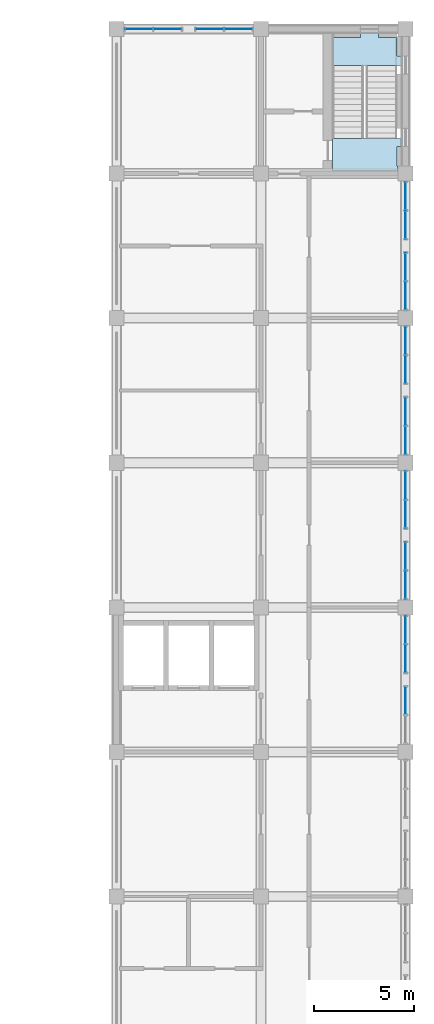
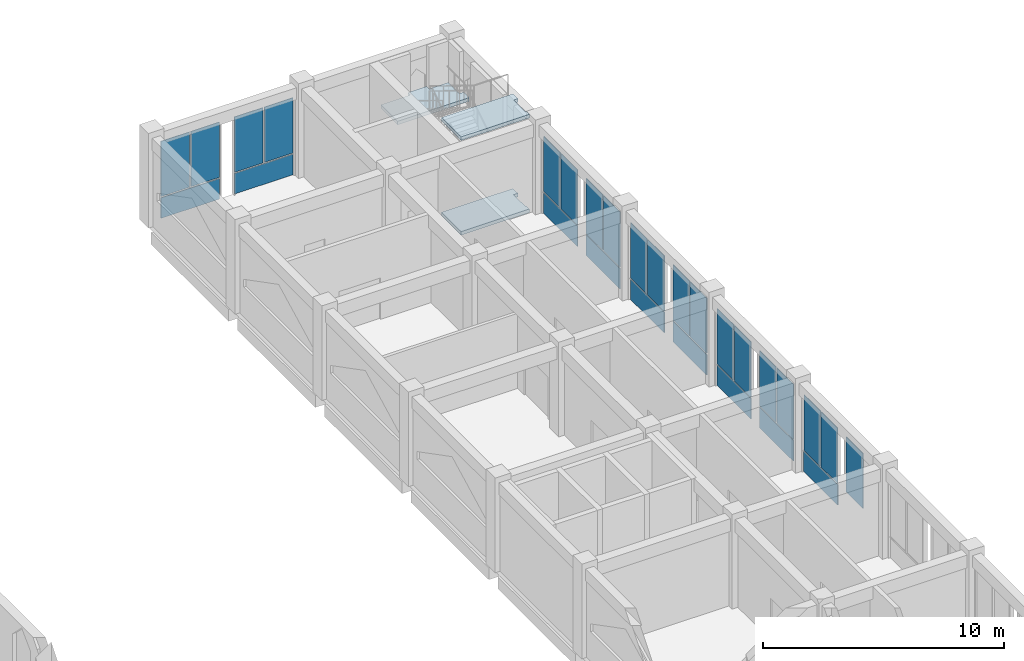
# One storey, part 26 of 39: 28 plates, 3 slabs, 11 elements without a shape of their own.
"""IFC4 building model written with IfcOpenShell, lengths in metres."""

from ifc_helpers import new_model, si_unit, direction, frame, origin, origin_2d, place, context, subcontext, project, spatial, polyline, rectangle, outline, extrude, material, layer, layer_set, type_object, element, aggregate, save


model = new_model("IFC4")

# Units and contexts
model_context = context("Model", 3, precision=1e-05, world=origin(), true_north=direction((0.0, 1.0)))
body_context = subcontext(model_context, "Body", "Model", "MODEL_VIEW")
ifc_project = project(units=[si_unit("LENGTHUNIT", "METRE"), si_unit("AREAUNIT", "SQUARE_METRE"), si_unit("VOLUMEUNIT", "CUBIC_METRE"), si_unit("PLANEANGLEUNIT", "RADIAN"), si_unit("MASSUNIT", "GRAM", prefix="KILO")], contexts=[model_context])

# Site, building, storey
site_placement = place(None, origin())
site = spatial("IfcSite", under=ifc_project, at=site_placement, CompositionType="ELEMENT")
building_placement = place(site_placement, origin())
building = spatial("IfcBuilding", under=site, at=building_placement, Name="Silangan Lancet Faculty of Sciences", CompositionType="ELEMENT")
storey_placement = place(building_placement, frame((0.0, 0.0, 26.39990234375)))
storey = spatial("IfcBuildingStorey", under=building, at=storey_placement, Name="L05", CompositionType="ELEMENT", Elevation=26.39990234375)

# Curtain wall, plate
ifc_material_1 = material(Name="Aluminium framed curtain wall with insulated glass", Category="aluminium")
curtain_wall_type = type_object("IfcCurtainWallType", Name="CW1 Commons and east block glazing", PredefinedType="NOTDEFINED", material=ifc_material_1)
curtain_wall_1_placement = place(storey_placement, origin())
curtain_wall_1 = element("IfcCurtainWall", 1, at=curtain_wall_1_placement, inside=storey, type_object=curtain_wall_type, Name="CW1 East commons L05 bay 5", PredefinedType="NOTDEFINED")
ifc_material_2 = material(Name="Insulated glass unit 8+16+8 low-emissivity", Category="glass")
ifc_layer_1 = layer(ifc_material_2, 0.031982421875)
ifc_layer_set_1 = layer_set([ifc_layer_1], Name="Insulated glass unit 8+16+8 low-emissivity")
plate_type_1 = type_object("IfcPlateType", Name="CP1 Panel vision glass 32", PredefinedType="CURTAIN_PANEL", material=ifc_layer_set_1)
plate_1_placement = place(storey_placement, frame((86.39990234375, 24.15380859375, 1.10009765625), z_axis=(0.0, 0.0, 1.0), x_axis=(0.0, 1.0, 0.0)))
plate_1 = element("IfcPlate", 2, at=plate_1_placement, type_object=plate_type_1, Name="CW1 East commons L05 bay 5 panel 3", PredefinedType="CURTAIN_PANEL", context=body_context, shape_type="SweptSolid", body=[
    extrude(rectangle(XDim=1.37255859375, YDim=0.031982421875, at=origin_2d()), origin(), (0.0, 0.0, 1.0), 2.800048828125),
])
aggregate(curtain_wall_1, [plate_1])

# Curtain wall, plates
curtain_wall_2_placement = place(storey_placement, origin())
curtain_wall_2 = element("IfcCurtainWall", 3, at=curtain_wall_2_placement, inside=storey, type_object=curtain_wall_type, Name="CW1 East commons L05 bay 6", PredefinedType="NOTDEFINED")
plate_2_placement = place(storey_placement, frame((86.39990234375, 26.246337890625, 1.10009765625), z_axis=(0.0, 0.0, 1.0), x_axis=(0.0, 1.0, 0.0)))
plate_2 = element("IfcPlate", 4, at=plate_2_placement, type_object=plate_type_1, Name="CW1 East commons L05 bay 6 panel 2", PredefinedType="CURTAIN_PANEL", context=body_context, shape_type="SweptSolid", body=[
    extrude(rectangle(XDim=1.37255859375, YDim=0.031982421875, at=origin_2d()), origin(), (0.0, 0.0, 1.0), 2.800048828125),
])
plate_3_placement = place(storey_placement, frame((86.39990234375, 27.6787109375, 1.10009765625), z_axis=(0.0, 0.0, 1.0), x_axis=(0.0, 1.0, 0.0)))
plate_3 = element("IfcPlate", 5, at=plate_3_placement, type_object=plate_type_1, Name="CW1 East commons L05 bay 6 panel 3", PredefinedType="CURTAIN_PANEL", context=body_context, shape_type="SweptSolid", body=[
    extrude(rectangle(XDim=1.37255859375, YDim=0.031982421875, at=origin_2d()), origin(), (0.0, 0.0, 1.0), 2.800048828125),
])

curtain_wall_3_placement = place(storey_placement, origin())
curtain_wall_3 = element("IfcCurtainWall", 6, at=curtain_wall_3_placement, inside=storey, type_object=curtain_wall_type, Name="CW1 East commons L05 bay 7", PredefinedType="NOTDEFINED")
plate_4_placement = place(storey_placement, frame((86.39990234375, 29.921142578125, 1.10009765625), z_axis=(0.0, 0.0, 1.0), x_axis=(0.0, 1.0, 0.0)))
plate_4 = element("IfcPlate", 7, at=plate_4_placement, type_object=plate_type_1, Name="CW1 East commons L05 bay 7 panel 2", PredefinedType="CURTAIN_PANEL", context=body_context, shape_type="SweptSolid", body=[
    extrude(rectangle(XDim=1.37255859375, YDim=0.031982421875, at=origin_2d()), origin(), (0.0, 0.0, 1.0), 2.800048828125),
])
plate_5_placement = place(storey_placement, frame((86.39990234375, 31.353759765625, 1.10009765625), z_axis=(0.0, 0.0, 1.0), x_axis=(0.0, 1.0, 0.0)))
plate_5 = element("IfcPlate", 8, at=plate_5_placement, type_object=plate_type_1, Name="CW1 East commons L05 bay 7 panel 3", PredefinedType="CURTAIN_PANEL", context=body_context, shape_type="SweptSolid", body=[
    extrude(rectangle(XDim=1.37255859375, YDim=0.031982421875, at=origin_2d()), origin(), (0.0, 0.0, 1.0), 2.800048828125),
])

curtain_wall_4_placement = place(storey_placement, origin())
curtain_wall_4 = element("IfcCurtainWall", 9, at=curtain_wall_4_placement, inside=storey, type_object=curtain_wall_type, Name="CW1 East commons L05 bay 8", PredefinedType="NOTDEFINED")
plate_6_placement = place(storey_placement, frame((86.39990234375, 33.4462890625, 1.10009765625), z_axis=(0.0, 0.0, 1.0), x_axis=(0.0, 1.0, 0.0)))
plate_6 = element("IfcPlate", 10, at=plate_6_placement, type_object=plate_type_1, Name="CW1 East commons L05 bay 8 panel 2", PredefinedType="CURTAIN_PANEL", context=body_context, shape_type="SweptSolid", body=[
    extrude(rectangle(XDim=1.37255859375, YDim=0.031982421875, at=origin_2d()), origin(), (0.0, 0.0, 1.0), 2.800048828125),
])
plate_7_placement = place(storey_placement, frame((86.39990234375, 34.878662109375, 1.10009765625), z_axis=(0.0, 0.0, 1.0), x_axis=(0.0, 1.0, 0.0)))
plate_7 = element("IfcPlate", 11, at=plate_7_placement, type_object=plate_type_1, Name="CW1 East commons L05 bay 8 panel 3", PredefinedType="CURTAIN_PANEL", context=body_context, shape_type="SweptSolid", body=[
    extrude(rectangle(XDim=1.37255859375, YDim=0.031982421875, at=origin_2d()), origin(), (0.0, 0.0, 1.0), 2.800048828125),
])

curtain_wall_5_placement = place(storey_placement, origin())
curtain_wall_5 = element("IfcCurtainWall", 12, at=curtain_wall_5_placement, inside=storey, type_object=curtain_wall_type, Name="CW1 East commons L05 bay 9", PredefinedType="NOTDEFINED")
plate_8_placement = place(storey_placement, frame((86.39990234375, 37.121337890625, 1.10009765625), z_axis=(0.0, 0.0, 1.0), x_axis=(0.0, 1.0, 0.0)))
plate_8 = element("IfcPlate", 13, at=plate_8_placement, type_object=plate_type_1, Name="CW1 East commons L05 bay 9 panel 2", PredefinedType="CURTAIN_PANEL", context=body_context, shape_type="SweptSolid", body=[
    extrude(rectangle(XDim=1.37255859375, YDim=0.031982421875, at=origin_2d()), origin(), (0.0, 0.0, 1.0), 2.800048828125),
])
plate_9_placement = place(storey_placement, frame((86.39990234375, 38.5537109375, 1.10009765625), z_axis=(0.0, 0.0, 1.0), x_axis=(0.0, 1.0, 0.0)))
plate_9 = element("IfcPlate", 14, at=plate_9_placement, type_object=plate_type_1, Name="CW1 East commons L05 bay 9 panel 3", PredefinedType="CURTAIN_PANEL", context=body_context, shape_type="SweptSolid", body=[
    extrude(rectangle(XDim=1.37255859375, YDim=0.031982421875, at=origin_2d()), origin(), (0.0, 0.0, 1.0), 2.800048828125),
])

curtain_wall_6_placement = place(storey_placement, origin())
curtain_wall_6 = element("IfcCurtainWall", 15, at=curtain_wall_6_placement, inside=storey, type_object=curtain_wall_type, Name="CW1 East commons L05 bay 10", PredefinedType="NOTDEFINED")
plate_10_placement = place(storey_placement, frame((86.39990234375, 40.646240234375, 1.10009765625), z_axis=(0.0, 0.0, 1.0), x_axis=(0.0, 1.0, 0.0)))
plate_10 = element("IfcPlate", 16, at=plate_10_placement, type_object=plate_type_1, Name="CW1 East commons L05 bay 10 panel 2", PredefinedType="CURTAIN_PANEL", context=body_context, shape_type="SweptSolid", body=[
    extrude(rectangle(XDim=1.37255859375, YDim=0.031982421875, at=origin_2d()), origin(), (0.0, 0.0, 1.0), 2.800048828125),
])
plate_11_placement = place(storey_placement, frame((86.39990234375, 42.078857421875, 1.10009765625), z_axis=(0.0, 0.0, 1.0), x_axis=(0.0, 1.0, 0.0)))
plate_11 = element("IfcPlate", 17, at=plate_11_placement, type_object=plate_type_1, Name="CW1 East commons L05 bay 10 panel 3", PredefinedType="CURTAIN_PANEL", context=body_context, shape_type="SweptSolid", body=[
    extrude(rectangle(XDim=1.37255859375, YDim=0.031982421875, at=origin_2d()), origin(), (0.0, 0.0, 1.0), 2.800048828125),
])

curtain_wall_7_placement = place(storey_placement, origin())
curtain_wall_7 = element("IfcCurtainWall", 18, at=curtain_wall_7_placement, inside=storey, type_object=curtain_wall_type, Name="CW1 East commons L05 bay 11", PredefinedType="NOTDEFINED")
plate_12_placement = place(storey_placement, frame((86.39990234375, 44.3212890625, 1.10009765625), z_axis=(0.0, 0.0, 1.0), x_axis=(0.0, 1.0, 0.0)))
plate_12 = element("IfcPlate", 19, at=plate_12_placement, type_object=plate_type_1, Name="CW1 East commons L05 bay 11 panel 2", PredefinedType="CURTAIN_PANEL", context=body_context, shape_type="SweptSolid", body=[
    extrude(rectangle(XDim=1.37255859375, YDim=0.031982421875, at=origin_2d()), origin(), (0.0, 0.0, 1.0), 2.800048828125),
])
plate_13_placement = place(storey_placement, frame((86.39990234375, 45.753662109375, 1.10009765625), z_axis=(0.0, 0.0, 1.0), x_axis=(0.0, 1.0, 0.0)))
plate_13 = element("IfcPlate", 20, at=plate_13_placement, type_object=plate_type_1, Name="CW1 East commons L05 bay 11 panel 3", PredefinedType="CURTAIN_PANEL", context=body_context, shape_type="SweptSolid", body=[
    extrude(rectangle(XDim=1.37255859375, YDim=0.031982421875, at=origin_2d()), origin(), (0.0, 0.0, 1.0), 2.800048828125),
])

curtain_wall_8_placement = place(storey_placement, origin())
curtain_wall_8 = element("IfcCurtainWall", 21, at=curtain_wall_8_placement, inside=storey, type_object=curtain_wall_type, Name="CW1 East commons L05 bay 12", PredefinedType="NOTDEFINED")
plate_14_placement = place(storey_placement, frame((86.39990234375, 47.84619140625, 1.10009765625), z_axis=(0.0, 0.0, 1.0), x_axis=(0.0, 1.0, 0.0)))
plate_14 = element("IfcPlate", 22, at=plate_14_placement, type_object=plate_type_1, Name="CW1 East commons L05 bay 12 panel 2", PredefinedType="CURTAIN_PANEL", context=body_context, shape_type="SweptSolid", body=[
    extrude(rectangle(XDim=1.37255859375, YDim=0.031982421875, at=origin_2d()), origin(), (0.0, 0.0, 1.0), 2.800048828125),
])
plate_15_placement = place(storey_placement, frame((86.39990234375, 49.27880859375, 1.10009765625), z_axis=(0.0, 0.0, 1.0), x_axis=(0.0, 1.0, 0.0)))
plate_15 = element("IfcPlate", 23, at=plate_15_placement, type_object=plate_type_1, Name="CW1 East commons L05 bay 12 panel 3", PredefinedType="CURTAIN_PANEL", context=body_context, shape_type="SweptSolid", body=[
    extrude(rectangle(XDim=1.37255859375, YDim=0.031982421875, at=origin_2d()), origin(), (0.0, 0.0, 1.0), 2.800048828125),
])

curtain_wall_9_placement = place(storey_placement, origin())
curtain_wall_9 = element("IfcCurtainWall", 24, at=curtain_wall_9_placement, inside=storey, type_object=curtain_wall_type, Name="CW1 East block north L05 bay 1", PredefinedType="NOTDEFINED")
plate_16_placement = place(storey_placement, frame((78.078857421875, 57.60009765625, 1.10009765625), z_axis=(0.0, 0.0, 1.0), x_axis=(-1.0, 0.0, 0.0)))
plate_16 = element("IfcPlate", 25, at=plate_16_placement, type_object=plate_type_1, Name="CW1 East block north L05 bay 1 panel 2", PredefinedType="CURTAIN_PANEL", context=body_context, shape_type="SweptSolid", body=[
    extrude(rectangle(XDim=1.37255859375, YDim=0.031982421875, at=origin_2d()), origin(), (0.0, 0.0, 1.0), 2.800048828125),
])
plate_17_placement = place(storey_placement, frame((76.646240234375, 57.60009765625, 1.10009765625), z_axis=(0.0, 0.0, 1.0), x_axis=(-1.0, 0.0, 0.0)))
plate_17 = element("IfcPlate", 26, at=plate_17_placement, type_object=plate_type_1, Name="CW1 East block north L05 bay 1 panel 3", PredefinedType="CURTAIN_PANEL", context=body_context, shape_type="SweptSolid", body=[
    extrude(rectangle(XDim=1.37255859375, YDim=0.031982421875, at=origin_2d()), origin(), (0.0, 0.0, 1.0), 2.800048828125),
])

curtain_wall_10_placement = place(storey_placement, origin())
curtain_wall_10 = element("IfcCurtainWall", 27, at=curtain_wall_10_placement, inside=storey, type_object=curtain_wall_type, Name="CW1 East block north L05 bay 2", PredefinedType="NOTDEFINED")
plate_18_placement = place(storey_placement, frame((74.5537109375, 57.60009765625, 1.10009765625), z_axis=(0.0, 0.0, 1.0), x_axis=(-1.0, 0.0, 0.0)))
plate_18 = element("IfcPlate", 28, at=plate_18_placement, type_object=plate_type_1, Name="CW1 East block north L05 bay 2 panel 2", PredefinedType="CURTAIN_PANEL", context=body_context, shape_type="SweptSolid", body=[
    extrude(rectangle(XDim=1.37255859375, YDim=0.031982421875, at=origin_2d()), origin(), (0.0, 0.0, 1.0), 2.800048828125),
])
plate_19_placement = place(storey_placement, frame((73.121337890625, 57.60009765625, 1.10009765625), z_axis=(0.0, 0.0, 1.0), x_axis=(-1.0, 0.0, 0.0)))
plate_19 = element("IfcPlate", 29, at=plate_19_placement, type_object=plate_type_1, Name="CW1 East block north L05 bay 2 panel 3", PredefinedType="CURTAIN_PANEL", context=body_context, shape_type="SweptSolid", body=[
    extrude(rectangle(XDim=1.37255859375, YDim=0.031982421875, at=origin_2d()), origin(), (0.0, 0.0, 1.0), 2.800048828125),
])

# Plate
ifc_material_3 = material(Name="Laminated insulated glass unit 10.76+14+8", Category="glass")
ifc_layer_2 = layer(ifc_material_3, 0.035888671875)
ifc_layer_set_2 = layer_set([ifc_layer_2], Name="Laminated insulated glass unit 10.76+14+8")
plate_type_2 = type_object("IfcPlateType", Name="CP2 Panel laminated glass 36", PredefinedType="CURTAIN_PANEL", material=ifc_layer_set_2)
plate_20_placement = place(storey_placement, frame((86.39990234375, 26.96240234375, 0.0), z_axis=(0.0, 0.0, 1.0), x_axis=(0.0, 1.0, 0.0)))
plate_20 = element("IfcPlate", 30, at=plate_20_placement, type_object=plate_type_2, Name="CW1 East commons L05 bay 6 panel 1", PredefinedType="CURTAIN_PANEL", context=body_context, shape_type="SweptSolid", body=[
    extrude(rectangle(XDim=2.804931640625, YDim=0.035888671875, at=origin_2d()), origin(), (0.0, 0.0, 1.0), 1.0400390625),
])

aggregate(curtain_wall_2, [plate_20, plate_2, plate_3])

plate_21_placement = place(storey_placement, frame((86.39990234375, 30.637451171875, 0.0), z_axis=(0.0, 0.0, 1.0), x_axis=(0.0, 1.0, 0.0)))
plate_21 = element("IfcPlate", 31, at=plate_21_placement, type_object=plate_type_2, Name="CW1 East commons L05 bay 7 panel 1", PredefinedType="CURTAIN_PANEL", context=body_context, shape_type="SweptSolid", body=[
    extrude(rectangle(XDim=2.804931640625, YDim=0.035888671875, at=origin_2d()), origin(), (0.0, 0.0, 1.0), 1.0400390625),
])

aggregate(curtain_wall_3, [plate_21, plate_4, plate_5])

plate_22_placement = place(storey_placement, frame((86.39990234375, 34.162353515625, 0.0), z_axis=(0.0, 0.0, 1.0), x_axis=(0.0, 1.0, 0.0)))
plate_22 = element("IfcPlate", 32, at=plate_22_placement, type_object=plate_type_2, Name="CW1 East commons L05 bay 8 panel 1", PredefinedType="CURTAIN_PANEL", context=body_context, shape_type="SweptSolid", body=[
    extrude(rectangle(XDim=2.80517578125, YDim=0.035888671875, at=origin_2d()), origin(), (0.0, 0.0, 1.0), 1.0400390625),
])

aggregate(curtain_wall_4, [plate_22, plate_6, plate_7])

plate_23_placement = place(storey_placement, frame((86.39990234375, 37.837646484375, 0.0), z_axis=(0.0, 0.0, 1.0), x_axis=(0.0, 1.0, 0.0)))
plate_23 = element("IfcPlate", 33, at=plate_23_placement, type_object=plate_type_2, Name="CW1 East commons L05 bay 9 panel 1", PredefinedType="CURTAIN_PANEL", context=body_context, shape_type="SweptSolid", body=[
    extrude(rectangle(XDim=2.80517578125, YDim=0.035888671875, at=origin_2d()), origin(), (0.0, 0.0, 1.0), 1.0400390625),
])

aggregate(curtain_wall_5, [plate_23, plate_8, plate_9])

plate_24_placement = place(storey_placement, frame((86.39990234375, 41.362548828125, 0.0), z_axis=(0.0, 0.0, 1.0), x_axis=(0.0, 1.0, 0.0)))
plate_24 = element("IfcPlate", 34, at=plate_24_placement, type_object=plate_type_2, Name="CW1 East commons L05 bay 10 panel 1", PredefinedType="CURTAIN_PANEL", context=body_context, shape_type="SweptSolid", body=[
    extrude(rectangle(XDim=2.804931640625, YDim=0.035888671875, at=origin_2d()), origin(), (0.0, 0.0, 1.0), 1.0400390625),
])

aggregate(curtain_wall_6, [plate_24, plate_10, plate_11])

plate_25_placement = place(storey_placement, frame((86.39990234375, 45.03759765625, 0.0), z_axis=(0.0, 0.0, 1.0), x_axis=(0.0, 1.0, 0.0)))
plate_25 = element("IfcPlate", 35, at=plate_25_placement, type_object=plate_type_2, Name="CW1 East commons L05 bay 11 panel 1", PredefinedType="CURTAIN_PANEL", context=body_context, shape_type="SweptSolid", body=[
    extrude(rectangle(XDim=2.804931640625, YDim=0.035888671875, at=origin_2d()), origin(), (0.0, 0.0, 1.0), 1.0400390625),
])

aggregate(curtain_wall_7, [plate_25, plate_12, plate_13])

plate_26_placement = place(storey_placement, frame((86.39990234375, 48.5625, 0.0), z_axis=(0.0, 0.0, 1.0), x_axis=(0.0, 1.0, 0.0)))
plate_26 = element("IfcPlate", 36, at=plate_26_placement, type_object=plate_type_2, Name="CW1 East commons L05 bay 12 panel 1", PredefinedType="CURTAIN_PANEL", context=body_context, shape_type="SweptSolid", body=[
    extrude(rectangle(XDim=2.804931640625, YDim=0.035888671875, at=origin_2d()), origin(), (0.0, 0.0, 1.0), 1.0400390625),
])

aggregate(curtain_wall_8, [plate_26, plate_14, plate_15])

plate_27_placement = place(storey_placement, frame((77.362548828125, 57.60009765625, 0.0), z_axis=(0.0, 0.0, 1.0), x_axis=(-1.0, 0.0, 0.0)))
plate_27 = element("IfcPlate", 37, at=plate_27_placement, type_object=plate_type_2, Name="CW1 East block north L05 bay 1 panel 1", PredefinedType="CURTAIN_PANEL", context=body_context, shape_type="SweptSolid", body=[
    extrude(rectangle(XDim=2.804931640625, YDim=0.035888671875, at=origin_2d()), origin(), (0.0, 0.0, 1.0), 1.0400390625),
])

aggregate(curtain_wall_9, [plate_27, plate_16, plate_17])

plate_28_placement = place(storey_placement, frame((73.837646484375, 57.60009765625, 0.0), z_axis=(0.0, 0.0, 1.0), x_axis=(-1.0, 0.0, 0.0)))
plate_28 = element("IfcPlate", 38, at=plate_28_placement, type_object=plate_type_2, Name="CW1 East block north L05 bay 2 panel 1", PredefinedType="CURTAIN_PANEL", context=body_context, shape_type="SweptSolid", body=[
    extrude(rectangle(XDim=2.80517578125, YDim=0.035888671875, at=origin_2d()), origin(), (0.0, 0.0, 1.0), 1.0400390625),
])

aggregate(curtain_wall_10, [plate_28, plate_18, plate_19])

# Stair, slabs
ifc_material_4 = material(Name="Concrete C40/50", Category="concrete")
stair_type = type_object("IfcStairType", Name="TURRET STAIR 1550 TWO-FLIGHT", PredefinedType="HALF_TURN_STAIR", material=ifc_material_4)
stair_placement = place(storey_placement, origin())
stair = element("IfcStair", 39, at=stair_placement, inside=storey, type_object=stair_type, Name="EB-B stair L05", PredefinedType="HALF_TURN_STAIR")
ifc_material_5 = material(Name="Concrete C40/50", Category="concrete")
ifc_layer_3 = layer(ifc_material_5, 0.179931640625)
ifc_layer_set_3 = layer_set([ifc_layer_3], Name="Concrete C40/50")
slab_type = type_object("IfcSlabType", Name="TURRET STAIR LANDING RC 180", PredefinedType="LANDING", material=ifc_layer_set_3)
slab_1_placement = place(storey_placement, frame((0.0, 0.0, -0.179931640625)))
slab_1 = element("IfcSlab", 40, at=slab_1_placement, type_object=slab_type, Name="STR10 landing 1", PredefinedType="LANDING", context=body_context, shape_type="SweptSolid", body=[
    extrude(outline(polyline([(86.02490234375, 50.52490234375), (82.75, 50.52490234375), (82.75, 52.14990234375), (86.175048828125, 52.14990234375), (86.175048828125, 51.75), (85.97509765625, 51.75), (85.97509765625, 50.77490234375), (86.02490234375, 50.77490234375), (86.02490234375, 50.52490234375)])), origin(), (0.0, 0.0, 1.0), 0.179931640625),
])
slab_2_placement = place(storey_placement, frame((0.0, 0.0, 2.22021484375)))
slab_2 = element("IfcSlab", 41, at=slab_2_placement, type_object=slab_type, Name="STR10 landing 2", PredefinedType="LANDING", context=body_context, shape_type="SweptSolid", body=[
    extrude(outline(polyline([(85.97509765625, 57.175048828125), (85.97509765625, 56.25), (86.175048828125, 56.25), (86.175048828125, 55.7900390625), (82.75, 55.7900390625), (82.75, 57.175048828125), (84.14990234375, 57.175048828125), (84.14990234375, 57.375), (85.050048828125, 57.375), (85.050048828125, 57.175048828125), (85.97509765625, 57.175048828125)])), origin(), (0.0, 0.0, 1.0), 0.179931640625),
])
slab_3_placement = place(storey_placement, frame((0.0, 0.0, 4.6201171875)))
slab_3 = element("IfcSlab", 42, at=slab_3_placement, type_object=slab_type, Name="STR10 landing 3", PredefinedType="LANDING", context=body_context, shape_type="SweptSolid", body=[
    extrude(outline(polyline([(86.02490234375, 50.52490234375), (82.75, 50.52490234375), (82.75, 52.14990234375), (86.175048828125, 52.14990234375), (86.175048828125, 51.75), (85.97509765625, 51.75), (85.97509765625, 50.77490234375), (86.02490234375, 50.77490234375), (86.02490234375, 50.52490234375)])), origin(), (0.0, 0.0, 1.0), 0.179931640625),
])
aggregate(stair, [slab_1, slab_2, slab_3])

save(model, "model.ifc")
